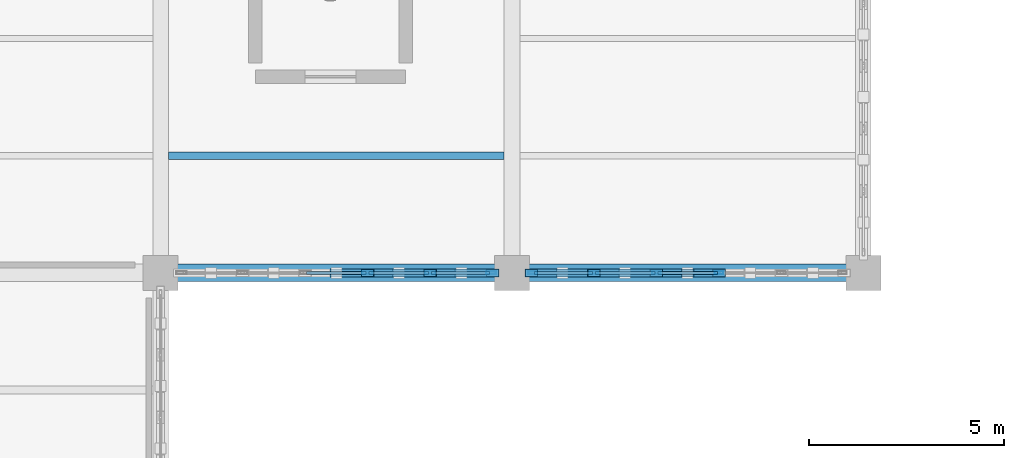
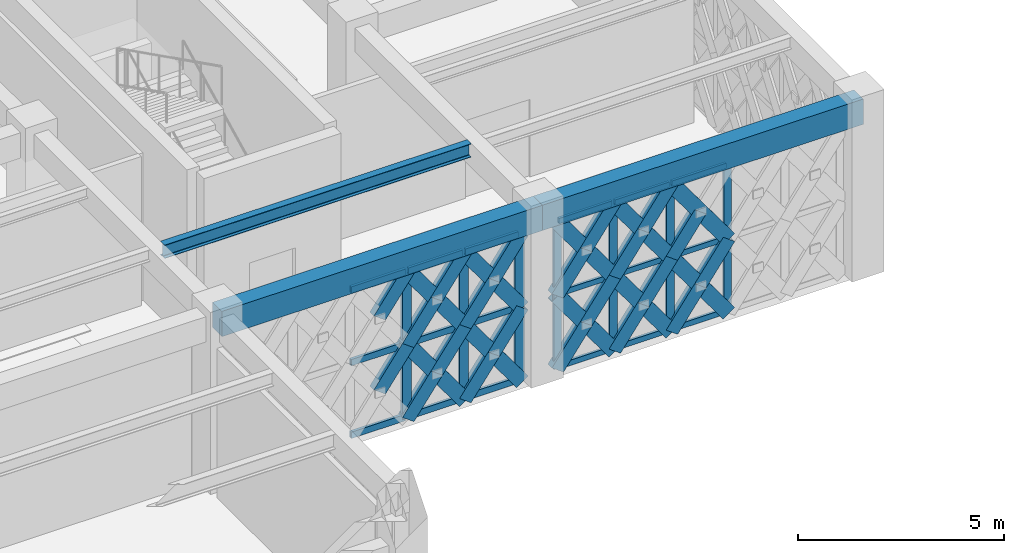
# One storey, part 84 of 166: 56 members, 3 beams, 2 elements without a shape of their own.
"""IFC4 building model written with IfcOpenShell, lengths in metres."""

import ifcopenshell
import ifcopenshell.guid

model = None  # the IFC model being written
_history = None  # IfcOwnerHistory: only IFC2X3 demands one
_inside = {}  # id of a spatial element -> (the spatial element, [elements in it])
_under = {}  # id of a project, library or spatial element -> (it, [spatial elements below it])
_declared = {}  # id of a project -> (the project, [libraries it declares])
_typed = {}  # id of a type object -> (the type object, [elements of that type])
_made_of = {}  # id of a material, layer set ... -> (it, [elements and type objects made of it])


def new_model(schema):
    """Start an empty IFC model of exactly this schema.

    Asked for "IFC4X3", IfcOpenShell would pick the latest addendum, in which some entities
    have other attributes; the version numbers below select the first issue.
    IFC2X3 requires an IfcOwnerHistory on every rooted entity: one is made here for all.
    """
    global model, _history
    if schema == "IFC4X3":
        model = ifcopenshell.file(schema_version=(4, 3, 0, 0))
    else:
        model = ifcopenshell.file(schema=schema)
    _inside.clear()
    _under.clear()
    _declared.clear()
    _typed.clear()
    _made_of.clear()
    _history = None
    if model.schema == "IFC2X3":
        org = make("IfcOrganization", Name="unknown")
        user = make(
            "IfcPersonAndOrganization",
            ThePerson=make("IfcPerson", FamilyName="unknown"),
            TheOrganization=org,
        )
        app = make(
            "IfcApplication",
            ApplicationDeveloper=org,
            Version="unknown",
            ApplicationFullName="unknown",
            ApplicationIdentifier="unknown",
        )
        _history = make(
            "IfcOwnerHistory",
            OwningUser=user,
            OwningApplication=app,
            ChangeAction="ADDED",
            CreationDate=0,
        )
    return model


def make(cls, **values):
    """One entity of the class cls with the attributes given. An attribute that is None is left unset."""
    return model.create_entity(
        cls, **{name: value for name, value in values.items() if value is not None}
    )


def rooted(cls, **values):
    """An entity with a GlobalId (a new one), such as an element, a storey or a relation."""
    return make(cls, GlobalId=ifcopenshell.guid.new(), OwnerHistory=_history, **values)


def si_unit(unit_type, name, prefix=None):
    """IfcSIUnit, for example si_unit("LENGTHUNIT", "METRE", prefix="MILLI")."""
    return make("IfcSIUnit", UnitType=unit_type, Prefix=prefix, Name=name)


def assignment(units):
    """IfcUnitAssignment: the units of a project."""
    return None if units is None else make("IfcUnitAssignment", Units=units)


def point(xyz):
    """IfcCartesianPoint."""
    return None if xyz is None else make("IfcCartesianPoint", Coordinates=xyz)


def direction(xyz):
    """IfcDirection."""
    return None if xyz is None else make("IfcDirection", DirectionRatios=xyz)


def frame(location, z_axis=None, x_axis=None):
    """IfcAxis2Placement3D, a coordinate frame: its origin and axes. An axis left out is left unset."""
    return make(
        "IfcAxis2Placement3D",
        Location=point(location),
        Axis=direction(z_axis),
        RefDirection=direction(x_axis),
    )


def frame_2d(location, x_axis=None):
    """IfcAxis2Placement2D, a coordinate frame in the plane: its origin and x axis."""
    return make(
        "IfcAxis2Placement2D", Location=point(location), RefDirection=direction(x_axis)
    )


def origin():
    """The frame at (0, 0, 0) with its axes left unset."""
    return frame((0.0, 0.0, 0.0))


def origin_2d():
    """The frame at (0, 0) in the plane with its x axis left unset."""
    return frame_2d((0.0, 0.0))


def place(relative_to, where):
    """IfcLocalPlacement: puts the frame where relative to a parent placement (None: the world)."""
    return make(
        "IfcLocalPlacement", PlacementRelTo=relative_to, RelativePlacement=where
    )


def context(
    kind, dimensions, precision=None, world=None, true_north=None, identifier=None
):
    """IfcGeometricRepresentationContext, for example the 3D "Model" context."""
    return make(
        "IfcGeometricRepresentationContext",
        ContextIdentifier=identifier,
        ContextType=kind,
        CoordinateSpaceDimension=dimensions,
        Precision=precision,
        WorldCoordinateSystem=world,
        TrueNorth=true_north,
    )


def subcontext(parent, identifier, kind, view, scale=None):
    """IfcGeometricRepresentationSubContext, for example "Body" below "Model"."""
    return make(
        "IfcGeometricRepresentationSubContext",
        ContextIdentifier=identifier,
        ContextType=kind,
        ParentContext=parent,
        TargetScale=scale,
        TargetView=view,
    )


def project(units=None, contexts=None):
    """IfcProject with its units and contexts."""
    return rooted(
        "IfcProject",
        Name="project",
        RepresentationContexts=contexts,
        UnitsInContext=assignment(units),
    )


def spatial(cls, under=None, at=None, **own):
    """A site, building, storey or space (cls), placed at a placement, below another one or the project."""
    s = rooted(cls, ObjectPlacement=at, **own)
    if under is not None:
        _under.setdefault(under.id(), (under, []))[1].append(s)
    return s


def profile(cls, at=None, kind="AREA", **sizes):
    """A parametric profile (cls). Its sizes go by their IFC names, for example OverallWidth=200.0."""
    return make(cls, ProfileType=kind, Position=at, **sizes)


def rectangle(**sizes):
    """IfcRectangleProfileDef."""
    return profile("IfcRectangleProfileDef", **sizes)


def hollow_rectangle(**sizes):
    """IfcRectangleHollowProfileDef."""
    return profile("IfcRectangleHollowProfileDef", **sizes)


def i_section(**sizes):
    """IfcIShapeProfileDef."""
    return profile("IfcIShapeProfileDef", **sizes)


def extrude(swept, where, along, depth):
    """IfcExtrudedAreaSolid: the profile swept, set in the frame where, extruded along a direction by depth."""
    return make(
        "IfcExtrudedAreaSolid",
        SweptArea=swept,
        Position=where,
        ExtrudedDirection=direction(along),
        Depth=depth,
    )


def shape(context_of_items, identifier, shape_type, items):
    """IfcShapeRepresentation: the items that make up one representation, for example the "Body"."""
    return make(
        "IfcShapeRepresentation",
        ContextOfItems=context_of_items,
        RepresentationIdentifier=identifier,
        RepresentationType=shape_type,
        Items=items,
    )


def material(Name=None, Category=None):
    """IfcMaterial."""
    return make("IfcMaterial", Name=Name, Category=Category)


def material_profile(
    of_material, cross_section, Name=None, Category=None, Priority=None
):
    """IfcMaterialProfile: a cross section and its material."""
    return make(
        "IfcMaterialProfile",
        Name=Name,
        Material=of_material,
        Profile=cross_section,
        Priority=Priority,
        Category=Category,
    )


def profile_set(profiles, Name=None, composite=None):
    """IfcMaterialProfileSet."""
    return make(
        "IfcMaterialProfileSet",
        Name=Name,
        MaterialProfiles=profiles,
        CompositeProfile=composite,
    )


def made_of(thing, what):
    """Note that an element or type object is made of a material, layer set ...; save() writes the relation."""
    if what is not None:
        _made_of.setdefault(what.id(), (what, []))[1].append(thing)
    return thing


def type_object(cls, material=None, **own):
    """A type object (cls), such as IfcWallType, which elements share."""
    return made_of(rooted(cls, **own), material)


def element(
    cls,
    number,
    at=None,
    inside=None,
    cuts=None,
    type_object=None,
    material=None,
    context=None,
    identifier="Body",
    shape_type=None,
    held_by="IfcProductDefinitionShape",
    body=None,
    shapes=None,
    **own,
):
    """One element of the class cls, such as IfcWall. Its Tag is "e" and its number.

    at: its placement. inside: the storey or other place that contains it. cuts: it is an
    opening in that element (IfcRelVoidsElement). A single representation is given by context,
    identifier, shape_type and body (its items); several are given by shapes. held_by: the class
    of the entity that holds the representations. save() writes the other relations.
    """
    e = rooted(cls, Tag="e%d" % number, ObjectPlacement=at, **own)
    if body is not None:
        shapes = [shape(context, identifier, shape_type, body)]
    if shapes is not None:
        e.Representation = make(held_by, Representations=shapes)
    if inside is not None:
        _inside.setdefault(inside.id(), (inside, []))[1].append(e)
    if cuts is not None:
        rooted(
            "IfcRelVoidsElement", RelatingBuildingElement=cuts, RelatedOpeningElement=e
        )
    if type_object is not None:
        _typed.setdefault(type_object.id(), (type_object, []))[1].append(e)
    return made_of(e, material)


def aggregate(whole, parts):
    """IfcRelAggregates: a whole, such as a stair, and the parts it consists of."""
    return rooted("IfcRelAggregates", RelatingObject=whole, RelatedObjects=parts)


def save(model, path):
    """Write the relations noted so far, then the file.

    IfcRelAggregates (storeys below a building ...), IfcRelContainedInSpatialStructure (elements
    in a storey), IfcRelDefinesByType, IfcRelAssociatesMaterial and IfcRelDeclares: one each for
    every whole, place, type object, material and project.
    """
    for whole, parts in _under.values():
        aggregate(whole, parts)
    for where, things in _inside.values():
        rooted(
            "IfcRelContainedInSpatialStructure",
            RelatedElements=things,
            RelatingStructure=where,
        )
    for kind, things in _typed.values():
        rooted("IfcRelDefinesByType", RelatedObjects=things, RelatingType=kind)
    for what, things in _made_of.values():
        rooted("IfcRelAssociatesMaterial", RelatedObjects=things, RelatingMaterial=what)
    for by, libraries in _declared.values():
        rooted("IfcRelDeclares", RelatingContext=by, RelatedDefinitions=libraries)
    model.write(path)


model = new_model("IFC4")

# Units and contexts
model_context = context("Model", 3, precision=1e-05, world=origin(), true_north=direction((0.0, 1.0)))
body_context = subcontext(model_context, "Body", "Model", "MODEL_VIEW")
ifc_project = project(units=[si_unit("LENGTHUNIT", "METRE"), si_unit("AREAUNIT", "SQUARE_METRE"), si_unit("VOLUMEUNIT", "CUBIC_METRE"), si_unit("PLANEANGLEUNIT", "RADIAN"), si_unit("MASSUNIT", "GRAM", prefix="KILO")], contexts=[model_context])

# Site, building, storey
site_placement = place(None, origin())
site = spatial("IfcSite", under=ifc_project, at=site_placement, CompositionType="ELEMENT")
building_placement = place(site_placement, origin())
building = spatial("IfcBuilding", under=site, at=building_placement, Name="Haizhuo Lancet Aquarium", CompositionType="ELEMENT")
storey_placement = place(building_placement, frame((0.0, 0.0, 5.39990234375)))
storey = spatial("IfcBuildingStorey", under=building, at=storey_placement, Name="L01", CompositionType="ELEMENT", Elevation=5.39990234375)

# Beams
ifc_material_1 = material(Name="Concrete C40/50", Category="concrete")
ifc_material_profile_1 = material_profile(ifc_material_1, rectangle(XDim=0.449951171875, YDim=0.75, at=origin_2d()), Name="RC-BM 450x750")
ifc_profile_set_1 = profile_set([ifc_material_profile_1], Name="Concrete C40/50")
beam_type_1 = type_object("IfcBeamType", Name="BM-RC-450x750", PredefinedType="BEAM", material=ifc_profile_set_1)
for number, where, z_axis, x_axis, name in (
    (1, (9.0, 36.0, 4.76513671875), (1.0, 0.0, 0.0), (0.0, 1.0, 0.0), "L01 V5 primary girder BM-L01-V5-025"),
    (2, (18.0, 36.0, 4.76513671875), (1.0, 0.0, 0.0), (0.0, 1.0, 0.0), "L01 V5 primary girder BM-L01-V5-029"),
):
    element("IfcBeam", number, at=place(storey_placement, frame(where, z_axis=z_axis, x_axis=x_axis)), inside=storey, type_object=beam_type_1, Name=name, PredefinedType="BEAM", context=body_context, shape_type="SweptSolid", body=[
        extrude(rectangle(XDim=0.449951171875, YDim=0.75, at=origin_2d()), origin(), (0.0, 0.0, 1.0), 9.0),
    ])

# Curtain wall, members
ifc_material_2 = material(Name="Aluminium 6063-T6", Category="aluminium")
curtain_wall_type = type_object("IfcCurtainWallType", Name="CWD-8010x4390", PredefinedType="NOTDEFINED", material=ifc_material_2)
curtain_wall_1_placement = place(storey_placement, origin())
curtain_wall_1 = element("IfcCurtainWall", 3, at=curtain_wall_1_placement, inside=storey, type_object=curtain_wall_type, Name="L01 curtain wall CW-V5-L01-137", PredefinedType="NOTDEFINED")
ifc_material_profile_2 = material_profile(ifc_material_2, hollow_rectangle(XDim=0.074951171875, YDim=0.219970703125, WallThickness=0.0048828125, at=origin_2d()), Name="ALU-M 75x220x5")
ifc_profile_set_2 = profile_set([ifc_material_profile_2], Name="Aluminium 6063-T6")
member_type_1 = type_object("IfcMemberType", Name="CW-MUL-2", PredefinedType="MULLION", material=ifc_profile_set_2)
member_1_placement = place(storey_placement, frame((23.301025390625, 36.0, 0.0), z_axis=(0.0, 0.0, 1.0), x_axis=(0.0, -1.0, 0.0)))
member_1 = element("IfcMember", 4, at=member_1_placement, type_object=member_type_1, Name="CWD-80x43 mullion 3", PredefinedType="MULLION", context=body_context, shape_type="SweptSolid", body=[
    extrude(hollow_rectangle(XDim=0.074951171875, YDim=0.219970703125, WallThickness=0.0048828125, at=origin_2d()), origin(), (0.0, 0.0, 1.0), 4.39013671875),
])
member_2_placement = place(storey_placement, frame((21.698974609375, 36.0, 0.0), z_axis=(0.0, 0.0, 1.0), x_axis=(0.0, -1.0, 0.0)))
member_2 = element("IfcMember", 5, at=member_2_placement, type_object=member_type_1, Name="CWD-80x43 mullion 4", PredefinedType="MULLION", context=body_context, shape_type="SweptSolid", body=[
    extrude(hollow_rectangle(XDim=0.074951171875, YDim=0.219970703125, WallThickness=0.0048828125, at=origin_2d()), origin(), (0.0, 0.0, 1.0), 4.39013671875),
])
member_3_placement = place(storey_placement, frame((20.096923828125, 36.0, 0.0), z_axis=(0.0, 0.0, 1.0), x_axis=(0.0, -1.0, 0.0)))
member_3 = element("IfcMember", 6, at=member_3_placement, type_object=member_type_1, Name="CWD-80x43 mullion 5", PredefinedType="MULLION", context=body_context, shape_type="SweptSolid", body=[
    extrude(hollow_rectangle(XDim=0.074951171875, YDim=0.219970703125, WallThickness=0.0048828125, at=origin_2d()), origin(), (0.0, 0.0, 1.0), 4.39013671875),
])
member_4_placement = place(storey_placement, frame((18.531982421875, 36.0, 0.0), z_axis=(0.0, 0.0, 1.0), x_axis=(0.0, -1.0, 0.0)))
member_4 = element("IfcMember", 7, at=member_4_placement, type_object=member_type_1, Name="CWD-80x43 mullion 6", PredefinedType="MULLION", context=body_context, shape_type="SweptSolid", body=[
    extrude(hollow_rectangle(XDim=0.074951171875, YDim=0.219970703125, WallThickness=0.0048828125, at=origin_2d()), origin(), (0.0, 0.0, 1.0), 4.39013671875),
])

curtain_wall_2_placement = place(storey_placement, origin())
curtain_wall_2 = element("IfcCurtainWall", 8, at=curtain_wall_2_placement, inside=storey, type_object=curtain_wall_type, Name="L01 curtain wall CW-V5-L01-138", PredefinedType="NOTDEFINED")
ifc_material_profile_3 = material_profile(ifc_material_2, hollow_rectangle(XDim=0.080078125, YDim=0.260009765625, WallThickness=0.0048828125, at=origin_2d()), Name="ALU-M 80x260x5")
ifc_profile_set_3 = profile_set([ifc_material_profile_3], Name="Aluminium 6063-T6")
member_type_2 = type_object("IfcMemberType", Name="CW-MUL-3", PredefinedType="MULLION", material=ifc_profile_set_3)
member_5_placement = place(storey_placement, frame((17.465087890625, 36.0, 0.0), z_axis=(0.0, 0.0, 1.0), x_axis=(0.0, -1.0, 0.0)))
member_5 = element("IfcMember", 9, at=member_5_placement, type_object=member_type_2, Name="CWD-80x43 mullion 1", PredefinedType="MULLION", context=body_context, shape_type="SweptSolid", body=[
    extrude(hollow_rectangle(XDim=0.080078125, YDim=0.260009765625, WallThickness=0.0048828125, at=origin_2d()), origin(), (0.0, 0.0, 1.0), 4.39013671875),
])
member_6_placement = place(storey_placement, frame((15.903076171875, 36.0, 0.0), z_axis=(0.0, 0.0, 1.0), x_axis=(0.0, -1.0, 0.0)))
member_6 = element("IfcMember", 10, at=member_6_placement, type_object=member_type_2, Name="CWD-80x43 mullion 2", PredefinedType="MULLION", context=body_context, shape_type="SweptSolid", body=[
    extrude(hollow_rectangle(XDim=0.080078125, YDim=0.260009765625, WallThickness=0.0048828125, at=origin_2d()), origin(), (0.0, 0.0, 1.0), 4.39013671875),
])
member_7_placement = place(storey_placement, frame((14.301025390625, 36.0, 0.0), z_axis=(0.0, 0.0, 1.0), x_axis=(0.0, -1.0, 0.0)))
member_7 = element("IfcMember", 11, at=member_7_placement, type_object=member_type_2, Name="CWD-80x43 mullion 3", PredefinedType="MULLION", context=body_context, shape_type="SweptSolid", body=[
    extrude(hollow_rectangle(XDim=0.080078125, YDim=0.260009765625, WallThickness=0.0048828125, at=origin_2d()), origin(), (0.0, 0.0, 1.0), 4.39013671875),
])

# Member
ifc_material_profile_4 = material_profile(ifc_material_2, hollow_rectangle(XDim=0.074951171875, YDim=0.159912109375, WallThickness=0.00390625, at=origin_2d()), Name="ALU-T 75x160x4")
ifc_profile_set_4 = profile_set([ifc_material_profile_4], Name="Aluminium 6063-T6")
member_type_3 = type_object("IfcMemberType", Name="CW-TRN-2", PredefinedType="NOTDEFINED", material=ifc_profile_set_4)
member_8_placement = place(storey_placement, frame((23.263916015625, 36.0, 0.0380859375), z_axis=(-1.0, 0.0, 0.0), x_axis=(0.0, -1.0, 0.0)))
member_8 = element("IfcMember", 12, at=member_8_placement, type_object=member_type_3, Name="CWD-80x43 transom 3.1", ObjectType="TRANSOM", PredefinedType="USERDEFINED", context=body_context, shape_type="SweptSolid", body=[
    extrude(hollow_rectangle(XDim=0.074951171875, YDim=0.159912109375, WallThickness=0.00390625, at=origin_2d()), origin(), (0.0, 0.0, 1.0), 1.52783203125),
])

member_9_placement = place(storey_placement, frame((23.263916015625, 36.0, 2.195068359375), z_axis=(-1.0, 0.0, 0.0), x_axis=(0.0, -1.0, 0.0)))
member_9 = element("IfcMember", 13, at=member_9_placement, type_object=member_type_3, Name="CWD-80x43 transom 3.2", ObjectType="TRANSOM", PredefinedType="USERDEFINED", context=body_context, shape_type="SweptSolid", body=[
    extrude(hollow_rectangle(XDim=0.074951171875, YDim=0.159912109375, WallThickness=0.00390625, at=origin_2d()), origin(), (0.0, 0.0, 1.0), 1.52783203125),
])

member_10_placement = place(storey_placement, frame((23.263916015625, 36.0, 4.35205078125), z_axis=(-1.0, 0.0, 0.0), x_axis=(0.0, -1.0, 0.0)))
member_10 = element("IfcMember", 14, at=member_10_placement, type_object=member_type_3, Name="CWD-80x43 transom 3.3", ObjectType="TRANSOM", PredefinedType="USERDEFINED", context=body_context, shape_type="SweptSolid", body=[
    extrude(hollow_rectangle(XDim=0.074951171875, YDim=0.159912109375, WallThickness=0.00390625, at=origin_2d()), origin(), (0.0, 0.0, 1.0), 1.52783203125),
])

member_11_placement = place(storey_placement, frame((21.662109375, 36.0, 0.0380859375), z_axis=(-1.0, 0.0, 0.0), x_axis=(0.0, -1.0, 0.0)))
member_11 = element("IfcMember", 15, at=member_11_placement, type_object=member_type_3, Name="CWD-80x43 transom 4.1", ObjectType="TRANSOM", PredefinedType="USERDEFINED", context=body_context, shape_type="SweptSolid", body=[
    extrude(hollow_rectangle(XDim=0.074951171875, YDim=0.159912109375, WallThickness=0.00390625, at=origin_2d()), origin(), (0.0, 0.0, 1.0), 1.528076171875),
])

member_12_placement = place(storey_placement, frame((21.662109375, 36.0, 2.195068359375), z_axis=(-1.0, 0.0, 0.0), x_axis=(0.0, -1.0, 0.0)))
member_12 = element("IfcMember", 16, at=member_12_placement, type_object=member_type_3, Name="CWD-80x43 transom 4.2", ObjectType="TRANSOM", PredefinedType="USERDEFINED", context=body_context, shape_type="SweptSolid", body=[
    extrude(hollow_rectangle(XDim=0.074951171875, YDim=0.159912109375, WallThickness=0.00390625, at=origin_2d()), origin(), (0.0, 0.0, 1.0), 1.528076171875),
])

member_13_placement = place(storey_placement, frame((21.662109375, 36.0, 4.35205078125), z_axis=(-1.0, 0.0, 0.0), x_axis=(0.0, -1.0, 0.0)))
member_13 = element("IfcMember", 17, at=member_13_placement, type_object=member_type_3, Name="CWD-80x43 transom 4.3", ObjectType="TRANSOM", PredefinedType="USERDEFINED", context=body_context, shape_type="SweptSolid", body=[
    extrude(hollow_rectangle(XDim=0.074951171875, YDim=0.159912109375, WallThickness=0.00390625, at=origin_2d()), origin(), (0.0, 0.0, 1.0), 1.528076171875),
])

member_14_placement = place(storey_placement, frame((20.05908203125, 36.0, 0.0380859375), z_axis=(-1.0, 0.0, 0.0), x_axis=(0.0, -1.0, 0.0)))
member_14 = element("IfcMember", 18, at=member_14_placement, type_object=member_type_3, Name="CWD-80x43 transom 5.1", ObjectType="TRANSOM", PredefinedType="USERDEFINED", context=body_context, shape_type="SweptSolid", body=[
    extrude(hollow_rectangle(XDim=0.074951171875, YDim=0.159912109375, WallThickness=0.00390625, at=origin_2d()), origin(), (0.0, 0.0, 1.0), 1.489013671875),
])

member_15_placement = place(storey_placement, frame((20.05908203125, 36.0, 2.195068359375), z_axis=(-1.0, 0.0, 0.0), x_axis=(0.0, -1.0, 0.0)))
member_15 = element("IfcMember", 19, at=member_15_placement, type_object=member_type_3, Name="CWD-80x43 transom 5.2", ObjectType="TRANSOM", PredefinedType="USERDEFINED", context=body_context, shape_type="SweptSolid", body=[
    extrude(hollow_rectangle(XDim=0.074951171875, YDim=0.159912109375, WallThickness=0.00390625, at=origin_2d()), origin(), (0.0, 0.0, 1.0), 1.489013671875),
])

member_16_placement = place(storey_placement, frame((20.05908203125, 36.0, 4.35205078125), z_axis=(-1.0, 0.0, 0.0), x_axis=(0.0, -1.0, 0.0)))
member_16 = element("IfcMember", 20, at=member_16_placement, type_object=member_type_3, Name="CWD-80x43 transom 5.3", ObjectType="TRANSOM", PredefinedType="USERDEFINED", context=body_context, shape_type="SweptSolid", body=[
    extrude(hollow_rectangle(XDim=0.074951171875, YDim=0.159912109375, WallThickness=0.00390625, at=origin_2d()), origin(), (0.0, 0.0, 1.0), 1.489013671875),
])

aggregate(curtain_wall_1, [member_1, member_2, member_3, member_4, member_8, member_9, member_10, member_11, member_12, member_13, member_14, member_15, member_16])

ifc_material_profile_5 = material_profile(ifc_material_2, hollow_rectangle(XDim=0.080078125, YDim=0.18994140625, WallThickness=0.0048828125, at=origin_2d()), Name="ALU-T 80x190x5")
ifc_profile_set_5 = profile_set([ifc_material_profile_5], Name="Aluminium 6063-T6")
member_type_4 = type_object("IfcMemberType", Name="CW-TRN-3", PredefinedType="NOTDEFINED", material=ifc_profile_set_5)
member_17_placement = place(storey_placement, frame((17.425048828125, 36.0, 0.0400390625), z_axis=(-1.0, 0.0, 0.0), x_axis=(0.0, -1.0, 0.0)))
member_17 = element("IfcMember", 21, at=member_17_placement, type_object=member_type_4, Name="CWD-80x43 transom 1.1", ObjectType="TRANSOM", PredefinedType="USERDEFINED", context=body_context, shape_type="SweptSolid", body=[
    extrude(hollow_rectangle(XDim=0.080078125, YDim=0.18994140625, WallThickness=0.0048828125, at=origin_2d()), origin(), (0.0, 0.0, 1.0), 1.48193359375),
])

member_18_placement = place(storey_placement, frame((17.425048828125, 36.0, 2.195068359375), z_axis=(-1.0, 0.0, 0.0), x_axis=(0.0, -1.0, 0.0)))
member_18 = element("IfcMember", 22, at=member_18_placement, type_object=member_type_4, Name="CWD-80x43 transom 1.2", ObjectType="TRANSOM", PredefinedType="USERDEFINED", context=body_context, shape_type="SweptSolid", body=[
    extrude(hollow_rectangle(XDim=0.080078125, YDim=0.18994140625, WallThickness=0.0048828125, at=origin_2d()), origin(), (0.0, 0.0, 1.0), 1.48193359375),
])

member_19_placement = place(storey_placement, frame((17.425048828125, 36.0, 4.35009765625), z_axis=(-1.0, 0.0, 0.0), x_axis=(0.0, -1.0, 0.0)))
member_19 = element("IfcMember", 23, at=member_19_placement, type_object=member_type_4, Name="CWD-80x43 transom 1.3", ObjectType="TRANSOM", PredefinedType="USERDEFINED", context=body_context, shape_type="SweptSolid", body=[
    extrude(hollow_rectangle(XDim=0.080078125, YDim=0.18994140625, WallThickness=0.0048828125, at=origin_2d()), origin(), (0.0, 0.0, 1.0), 1.48193359375),
])

member_20_placement = place(storey_placement, frame((15.863037109375, 36.0, 0.0400390625), z_axis=(-1.0, 0.0, 0.0), x_axis=(0.0, -1.0, 0.0)))
member_20 = element("IfcMember", 24, at=member_20_placement, type_object=member_type_4, Name="CWD-80x43 transom 2.1", ObjectType="TRANSOM", PredefinedType="USERDEFINED", context=body_context, shape_type="SweptSolid", body=[
    extrude(hollow_rectangle(XDim=0.080078125, YDim=0.18994140625, WallThickness=0.0048828125, at=origin_2d()), origin(), (0.0, 0.0, 1.0), 1.52197265625),
])

member_21_placement = place(storey_placement, frame((15.863037109375, 36.0, 2.195068359375), z_axis=(-1.0, 0.0, 0.0), x_axis=(0.0, -1.0, 0.0)))
member_21 = element("IfcMember", 25, at=member_21_placement, type_object=member_type_4, Name="CWD-80x43 transom 2.2", ObjectType="TRANSOM", PredefinedType="USERDEFINED", context=body_context, shape_type="SweptSolid", body=[
    extrude(hollow_rectangle(XDim=0.080078125, YDim=0.18994140625, WallThickness=0.0048828125, at=origin_2d()), origin(), (0.0, 0.0, 1.0), 1.52197265625),
])

member_22_placement = place(storey_placement, frame((15.863037109375, 36.0, 4.35009765625), z_axis=(-1.0, 0.0, 0.0), x_axis=(0.0, -1.0, 0.0)))
member_22 = element("IfcMember", 26, at=member_22_placement, type_object=member_type_4, Name="CWD-80x43 transom 2.3", ObjectType="TRANSOM", PredefinedType="USERDEFINED", context=body_context, shape_type="SweptSolid", body=[
    extrude(hollow_rectangle(XDim=0.080078125, YDim=0.18994140625, WallThickness=0.0048828125, at=origin_2d()), origin(), (0.0, 0.0, 1.0), 1.52197265625),
])

member_23_placement = place(storey_placement, frame((14.260986328125, 36.0, 0.0400390625), z_axis=(-1.0, 0.0, 0.0), x_axis=(0.0, -1.0, 0.0)))
member_23 = element("IfcMember", 27, at=member_23_placement, type_object=member_type_4, Name="CWD-80x43 transom 3.1", ObjectType="TRANSOM", PredefinedType="USERDEFINED", context=body_context, shape_type="SweptSolid", body=[
    extrude(hollow_rectangle(XDim=0.080078125, YDim=0.18994140625, WallThickness=0.0048828125, at=origin_2d()), origin(), (0.0, 0.0, 1.0), 1.52197265625),
])

member_24_placement = place(storey_placement, frame((14.260986328125, 36.0, 2.195068359375), z_axis=(-1.0, 0.0, 0.0), x_axis=(0.0, -1.0, 0.0)))
member_24 = element("IfcMember", 28, at=member_24_placement, type_object=member_type_4, Name="CWD-80x43 transom 3.2", ObjectType="TRANSOM", PredefinedType="USERDEFINED", context=body_context, shape_type="SweptSolid", body=[
    extrude(hollow_rectangle(XDim=0.080078125, YDim=0.18994140625, WallThickness=0.0048828125, at=origin_2d()), origin(), (0.0, 0.0, 1.0), 1.52197265625),
])

member_25_placement = place(storey_placement, frame((14.260986328125, 36.0, 4.35009765625), z_axis=(-1.0, 0.0, 0.0), x_axis=(0.0, -1.0, 0.0)))
member_25 = element("IfcMember", 29, at=member_25_placement, type_object=member_type_4, Name="CWD-80x43 transom 3.3", ObjectType="TRANSOM", PredefinedType="USERDEFINED", context=body_context, shape_type="SweptSolid", body=[
    extrude(hollow_rectangle(XDim=0.080078125, YDim=0.18994140625, WallThickness=0.0048828125, at=origin_2d()), origin(), (0.0, 0.0, 1.0), 1.52197265625),
])

aggregate(curtain_wall_2, [member_5, member_6, member_7, member_17, member_18, member_19, member_20, member_21, member_22, member_23, member_24, member_25])

# Beam
ifc_material_3 = material(Name="Steel S355", Category="steel")
ifc_material_profile_6 = material_profile(ifc_material_3, i_section(OverallWidth=0.199951171875, OverallDepth=0.39990234375, WebThickness=0.008056640625, FlangeThickness=0.012939453125, FilletRadius=0.01611328125, at=origin_2d()), Name="HN 400x200x8x13")
ifc_profile_set_6 = profile_set([ifc_material_profile_6], Name="Steel S355")
beam_type_2 = type_object("IfcBeamType", Name="JST-ST-HN400", PredefinedType="JOIST", material=ifc_profile_set_6)
beam_placement = place(storey_placement, frame((9.199951171875, 39.0, 4.940185546875), z_axis=(1.0, 0.0, 0.0), x_axis=(0.0, 1.0, 0.0)))
element("IfcBeam", 30, at=beam_placement, inside=storey, type_object=beam_type_2, Name="L01 V5 secondary floor joist 20", PredefinedType="JOIST", context=body_context, shape_type="SweptSolid", body=[
    extrude(i_section(OverallWidth=0.199951171875, OverallDepth=0.39990234375, WebThickness=0.008056640625, FlangeThickness=0.012939453125, FilletRadius=0.01611328125, at=origin_2d()), origin(), (0.0, 0.0, 1.0), 8.60009765625),
])

# Members
ifc_material_profile_7 = material_profile(ifc_material_3, hollow_rectangle(XDim=0.199951171875, YDim=0.39990234375, WallThickness=0.011962890625, at=origin_2d()), Name="RHS 200x400x12")
ifc_profile_set_7 = profile_set([ifc_material_profile_7], Name="Steel S355")
member_type_5 = type_object("IfcMemberType", Name="MEM-LB-RHS200x400", PredefinedType="BRACE", material=ifc_profile_set_7)
member_26_placement = place(storey_placement, frame((23.301025390625, 36.0, 0.0), z_axis=(-0.589527691225, 0.0, 0.807748166992), x_axis=(0.0, -1.0, 0.0)))
element("IfcMember", 31, at=member_26_placement, inside=storey, type_object=member_type_5, Name="Gothic lancet continuous diagonal brace CW-V5-L01-137 5A", PredefinedType="BRACE", context=body_context, shape_type="SweptSolid", body=[
    extrude(hollow_rectangle(XDim=0.199951171875, YDim=0.39990234375, WallThickness=0.011962890625, at=origin_2d()), origin(), (0.0, 0.0, 1.0), 2.717529296875),
])
member_27_placement = place(storey_placement, frame((21.698974609375, 36.0, 0.0), z_axis=(0.589313844519, 0.0, 0.807904197698), x_axis=(0.0, 1.0, 0.0)))
element("IfcMember", 32, at=member_27_placement, inside=storey, type_object=member_type_5, Name="Gothic lancet split diagonal brace CW-V5-L01-137 5B1", PredefinedType="BRACE", context=body_context, shape_type="SweptSolid", body=[
    extrude(hollow_rectangle(XDim=0.199951171875, YDim=0.39990234375, WallThickness=0.011962890625, at=origin_2d()), origin(), (0.0, 0.0, 1.0), 1.359130859375),
])
member_28_placement = place(storey_placement, frame((22.5, 36.0, 1.09814453125), z_axis=(0.589741651814, 0.0, 0.807591966352), x_axis=(0.0, 1.0, 0.0)))
element("IfcMember", 33, at=member_28_placement, inside=storey, type_object=member_type_5, Name="Gothic lancet split diagonal brace CW-V5-L01-137 5B2", PredefinedType="BRACE", context=body_context, shape_type="SweptSolid", body=[
    extrude(hollow_rectangle(XDim=0.199951171875, YDim=0.39990234375, WallThickness=0.011962890625, at=origin_2d()), origin(), (0.0, 0.0, 1.0), 1.358154296875),
])
member_29_placement = place(storey_placement, frame((23.301025390625, 36.0, 2.195068359375), z_axis=(-0.589527691225, 0.0, 0.807748166992), x_axis=(0.0, -1.0, 0.0)))
element("IfcMember", 34, at=member_29_placement, inside=storey, type_object=member_type_5, Name="Gothic lancet continuous diagonal brace CW-V5-L01-137 6A", PredefinedType="BRACE", context=body_context, shape_type="SweptSolid", body=[
    extrude(hollow_rectangle(XDim=0.199951171875, YDim=0.39990234375, WallThickness=0.011962890625, at=origin_2d()), origin(), (0.0, 0.0, 1.0), 2.717529296875),
])
member_30_placement = place(storey_placement, frame((21.698974609375, 36.0, 2.195068359375), z_axis=(0.589741651814, 0.0, 0.807591966352), x_axis=(0.0, 1.0, 0.0)))
element("IfcMember", 35, at=member_30_placement, inside=storey, type_object=member_type_5, Name="Gothic lancet split diagonal brace CW-V5-L01-137 6B1", PredefinedType="BRACE", context=body_context, shape_type="SweptSolid", body=[
    extrude(hollow_rectangle(XDim=0.199951171875, YDim=0.39990234375, WallThickness=0.011962890625, at=origin_2d()), origin(), (0.0, 0.0, 1.0), 1.358154296875),
])
member_31_placement = place(storey_placement, frame((21.698974609375, 36.0, 0.0), z_axis=(-0.589527691225, 0.0, 0.807748166992), x_axis=(0.0, -1.0, 0.0)))
element("IfcMember", 36, at=member_31_placement, inside=storey, type_object=member_type_5, Name="Gothic lancet continuous diagonal brace CW-V5-L01-137 7A", PredefinedType="BRACE", context=body_context, shape_type="SweptSolid", body=[
    extrude(hollow_rectangle(XDim=0.199951171875, YDim=0.39990234375, WallThickness=0.011962890625, at=origin_2d()), origin(), (0.0, 0.0, 1.0), 2.717529296875),
])
member_32_placement = place(storey_placement, frame((20.096923828125, 36.0, 0.0), z_axis=(0.589313844519, 0.0, 0.807904197698), x_axis=(0.0, 1.0, 0.0)))
element("IfcMember", 37, at=member_32_placement, inside=storey, type_object=member_type_5, Name="Gothic lancet split diagonal brace CW-V5-L01-137 7B1", PredefinedType="BRACE", context=body_context, shape_type="SweptSolid", body=[
    extrude(hollow_rectangle(XDim=0.199951171875, YDim=0.39990234375, WallThickness=0.011962890625, at=origin_2d()), origin(), (0.0, 0.0, 1.0), 1.359130859375),
])
member_33_placement = place(storey_placement, frame((20.89794921875, 36.0, 1.09814453125), z_axis=(0.589741651814, 0.0, 0.807591966352), x_axis=(0.0, 1.0, 0.0)))
element("IfcMember", 38, at=member_33_placement, inside=storey, type_object=member_type_5, Name="Gothic lancet split diagonal brace CW-V5-L01-137 7B2", PredefinedType="BRACE", context=body_context, shape_type="SweptSolid", body=[
    extrude(hollow_rectangle(XDim=0.199951171875, YDim=0.39990234375, WallThickness=0.011962890625, at=origin_2d()), origin(), (0.0, 0.0, 1.0), 1.358154296875),
])
member_34_placement = place(storey_placement, frame((21.698974609375, 36.0, 2.195068359375), z_axis=(-0.589527691225, 0.0, 0.807748166992), x_axis=(0.0, -1.0, 0.0)))
element("IfcMember", 39, at=member_34_placement, inside=storey, type_object=member_type_5, Name="Gothic lancet continuous diagonal brace CW-V5-L01-137 8A", PredefinedType="BRACE", context=body_context, shape_type="SweptSolid", body=[
    extrude(hollow_rectangle(XDim=0.199951171875, YDim=0.39990234375, WallThickness=0.011962890625, at=origin_2d()), origin(), (0.0, 0.0, 1.0), 2.717529296875),
])
member_35_placement = place(storey_placement, frame((20.096923828125, 36.0, 2.195068359375), z_axis=(0.589741651814, 0.0, 0.807591966352), x_axis=(0.0, 1.0, 0.0)))
element("IfcMember", 40, at=member_35_placement, inside=storey, type_object=member_type_5, Name="Gothic lancet split diagonal brace CW-V5-L01-137 8B1", PredefinedType="BRACE", context=body_context, shape_type="SweptSolid", body=[
    extrude(hollow_rectangle(XDim=0.199951171875, YDim=0.39990234375, WallThickness=0.011962890625, at=origin_2d()), origin(), (0.0, 0.0, 1.0), 1.358154296875),
])
member_36_placement = place(storey_placement, frame((20.89794921875, 36.0, 3.2919921875), z_axis=(0.589313844519, 0.0, 0.807904197698), x_axis=(0.0, 1.0, 0.0)))
element("IfcMember", 41, at=member_36_placement, inside=storey, type_object=member_type_5, Name="Gothic lancet split diagonal brace CW-V5-L01-137 8B2", PredefinedType="BRACE", context=body_context, shape_type="SweptSolid", body=[
    extrude(hollow_rectangle(XDim=0.199951171875, YDim=0.39990234375, WallThickness=0.011962890625, at=origin_2d()), origin(), (0.0, 0.0, 1.0), 1.359130859375),
])
member_37_placement = place(storey_placement, frame((20.096923828125, 36.0, 0.0), z_axis=(-0.589469070059, 0.0, 0.807790947859), x_axis=(0.0, -1.0, 0.0)))
element("IfcMember", 42, at=member_37_placement, inside=storey, type_object=member_type_5, Name="Gothic lancet continuous diagonal brace CW-V5-L01-137 9A", PredefinedType="BRACE", context=body_context, shape_type="SweptSolid", body=[
    extrude(hollow_rectangle(XDim=0.199951171875, YDim=0.39990234375, WallThickness=0.011962890625, at=origin_2d()), origin(), (0.0, 0.0, 1.0), 2.71728515625),
])
member_38_placement = place(storey_placement, frame((18.4951171875, 36.0, 0.0), z_axis=(0.589196590133, 0.0, 0.807989714152), x_axis=(0.0, 1.0, 0.0)))
element("IfcMember", 43, at=member_38_placement, inside=storey, type_object=member_type_5, Name="Gothic lancet split diagonal brace CW-V5-L01-137 9B1", PredefinedType="BRACE", context=body_context, shape_type="SweptSolid", body=[
    extrude(hollow_rectangle(XDim=0.199951171875, YDim=0.39990234375, WallThickness=0.011962890625, at=origin_2d()), origin(), (0.0, 0.0, 1.0), 1.359130859375),
])
member_39_placement = place(storey_placement, frame((19.2958984375, 36.0, 1.09814453125), z_axis=(0.589741651814, 0.0, 0.807591966352), x_axis=(0.0, 1.0, 0.0)))
element("IfcMember", 44, at=member_39_placement, inside=storey, type_object=member_type_5, Name="Gothic lancet split diagonal brace CW-V5-L01-137 9B2", PredefinedType="BRACE", context=body_context, shape_type="SweptSolid", body=[
    extrude(hollow_rectangle(XDim=0.199951171875, YDim=0.39990234375, WallThickness=0.011962890625, at=origin_2d()), origin(), (0.0, 0.0, 1.0), 1.358154296875),
])
member_40_placement = place(storey_placement, frame((20.096923828125, 36.0, 2.195068359375), z_axis=(-0.589469070059, 0.0, 0.807790947859), x_axis=(0.0, -1.0, 0.0)))
element("IfcMember", 45, at=member_40_placement, inside=storey, type_object=member_type_5, Name="Gothic lancet continuous diagonal brace CW-V5-L01-137 10A", PredefinedType="BRACE", context=body_context, shape_type="SweptSolid", body=[
    extrude(hollow_rectangle(XDim=0.199951171875, YDim=0.39990234375, WallThickness=0.011962890625, at=origin_2d()), origin(), (0.0, 0.0, 1.0), 2.71728515625),
])
member_41_placement = place(storey_placement, frame((18.4951171875, 36.0, 2.195068359375), z_axis=(0.58962440296, 0.0, 0.807677573933), x_axis=(0.0, 1.0, 0.0)))
element("IfcMember", 46, at=member_41_placement, inside=storey, type_object=member_type_5, Name="Gothic lancet split diagonal brace CW-V5-L01-137 10B1", PredefinedType="BRACE", context=body_context, shape_type="SweptSolid", body=[
    extrude(hollow_rectangle(XDim=0.199951171875, YDim=0.39990234375, WallThickness=0.011962890625, at=origin_2d()), origin(), (0.0, 0.0, 1.0), 1.358154296875),
])
member_42_placement = place(storey_placement, frame((19.2958984375, 36.0, 3.2919921875), z_axis=(0.589313844519, 0.0, 0.807904197698), x_axis=(0.0, 1.0, 0.0)))
element("IfcMember", 47, at=member_42_placement, inside=storey, type_object=member_type_5, Name="Gothic lancet split diagonal brace CW-V5-L01-137 10B2", PredefinedType="BRACE", context=body_context, shape_type="SweptSolid", body=[
    extrude(hollow_rectangle(XDim=0.199951171875, YDim=0.39990234375, WallThickness=0.011962890625, at=origin_2d()), origin(), (0.0, 0.0, 1.0), 1.359130859375),
])
member_43_placement = place(storey_placement, frame((17.5048828125, 36.0, 0.0), z_axis=(-0.589469070059, 0.0, 0.807790947859), x_axis=(0.0, -1.0, 0.0)))
element("IfcMember", 48, at=member_43_placement, inside=storey, type_object=member_type_5, Name="Gothic lancet continuous diagonal brace CW-V5-L01-138 1A", PredefinedType="BRACE", context=body_context, shape_type="SweptSolid", body=[
    extrude(hollow_rectangle(XDim=0.199951171875, YDim=0.39990234375, WallThickness=0.011962890625, at=origin_2d()), origin(), (0.0, 0.0, 1.0), 2.71728515625),
])
member_44_placement = place(storey_placement, frame((15.903076171875, 36.0, 0.0), z_axis=(0.589313844519, 0.0, 0.807904197698), x_axis=(0.0, 1.0, 0.0)))
element("IfcMember", 49, at=member_44_placement, inside=storey, type_object=member_type_5, Name="Gothic lancet split diagonal brace CW-V5-L01-138 1B1", PredefinedType="BRACE", context=body_context, shape_type="SweptSolid", body=[
    extrude(hollow_rectangle(XDim=0.199951171875, YDim=0.39990234375, WallThickness=0.011962890625, at=origin_2d()), origin(), (0.0, 0.0, 1.0), 1.359130859375),
])
member_45_placement = place(storey_placement, frame((16.7041015625, 36.0, 1.09814453125), z_axis=(0.58962440296, 0.0, 0.807677573933), x_axis=(0.0, 1.0, 0.0)))
element("IfcMember", 50, at=member_45_placement, inside=storey, type_object=member_type_5, Name="Gothic lancet split diagonal brace CW-V5-L01-138 1B2", PredefinedType="BRACE", context=body_context, shape_type="SweptSolid", body=[
    extrude(hollow_rectangle(XDim=0.199951171875, YDim=0.39990234375, WallThickness=0.011962890625, at=origin_2d()), origin(), (0.0, 0.0, 1.0), 1.358154296875),
])
member_46_placement = place(storey_placement, frame((17.5048828125, 36.0, 2.195068359375), z_axis=(-0.589469070059, 0.0, 0.807790947859), x_axis=(0.0, -1.0, 0.0)))
element("IfcMember", 51, at=member_46_placement, inside=storey, type_object=member_type_5, Name="Gothic lancet continuous diagonal brace CW-V5-L01-138 2A", PredefinedType="BRACE", context=body_context, shape_type="SweptSolid", body=[
    extrude(hollow_rectangle(XDim=0.199951171875, YDim=0.39990234375, WallThickness=0.011962890625, at=origin_2d()), origin(), (0.0, 0.0, 1.0), 2.71728515625),
])
member_47_placement = place(storey_placement, frame((15.903076171875, 36.0, 2.195068359375), z_axis=(0.589741651814, 0.0, 0.807591966352), x_axis=(0.0, 1.0, 0.0)))
element("IfcMember", 52, at=member_47_placement, inside=storey, type_object=member_type_5, Name="Gothic lancet split diagonal brace CW-V5-L01-138 2B1", PredefinedType="BRACE", context=body_context, shape_type="SweptSolid", body=[
    extrude(hollow_rectangle(XDim=0.199951171875, YDim=0.39990234375, WallThickness=0.011962890625, at=origin_2d()), origin(), (0.0, 0.0, 1.0), 1.358154296875),
])
member_48_placement = place(storey_placement, frame((16.7041015625, 36.0, 3.2919921875), z_axis=(0.589196590133, 0.0, 0.807989714152), x_axis=(0.0, 1.0, 0.0)))
element("IfcMember", 53, at=member_48_placement, inside=storey, type_object=member_type_5, Name="Gothic lancet split diagonal brace CW-V5-L01-138 2B2", PredefinedType="BRACE", context=body_context, shape_type="SweptSolid", body=[
    extrude(hollow_rectangle(XDim=0.199951171875, YDim=0.39990234375, WallThickness=0.011962890625, at=origin_2d()), origin(), (0.0, 0.0, 1.0), 1.359130859375),
])
member_49_placement = place(storey_placement, frame((15.903076171875, 36.0, 0.0), z_axis=(-0.589527691225, 0.0, 0.807748166992), x_axis=(0.0, -1.0, 0.0)))
element("IfcMember", 54, at=member_49_placement, inside=storey, type_object=member_type_5, Name="Gothic lancet continuous diagonal brace CW-V5-L01-138 3A", PredefinedType="BRACE", context=body_context, shape_type="SweptSolid", body=[
    extrude(hollow_rectangle(XDim=0.199951171875, YDim=0.39990234375, WallThickness=0.011962890625, at=origin_2d()), origin(), (0.0, 0.0, 1.0), 2.717529296875),
])
member_50_placement = place(storey_placement, frame((14.301025390625, 36.0, 0.0), z_axis=(0.589313844519, 0.0, 0.807904197698), x_axis=(0.0, 1.0, 0.0)))
element("IfcMember", 55, at=member_50_placement, inside=storey, type_object=member_type_5, Name="Gothic lancet split diagonal brace CW-V5-L01-138 3B1", PredefinedType="BRACE", context=body_context, shape_type="SweptSolid", body=[
    extrude(hollow_rectangle(XDim=0.199951171875, YDim=0.39990234375, WallThickness=0.011962890625, at=origin_2d()), origin(), (0.0, 0.0, 1.0), 1.359130859375),
])
member_51_placement = place(storey_placement, frame((15.10205078125, 36.0, 1.09814453125), z_axis=(0.589741651814, 0.0, 0.807591966352), x_axis=(0.0, 1.0, 0.0)))
element("IfcMember", 56, at=member_51_placement, inside=storey, type_object=member_type_5, Name="Gothic lancet split diagonal brace CW-V5-L01-138 3B2", PredefinedType="BRACE", context=body_context, shape_type="SweptSolid", body=[
    extrude(hollow_rectangle(XDim=0.199951171875, YDim=0.39990234375, WallThickness=0.011962890625, at=origin_2d()), origin(), (0.0, 0.0, 1.0), 1.358154296875),
])
member_52_placement = place(storey_placement, frame((15.903076171875, 36.0, 2.195068359375), z_axis=(-0.589527691225, 0.0, 0.807748166992), x_axis=(0.0, -1.0, 0.0)))
element("IfcMember", 57, at=member_52_placement, inside=storey, type_object=member_type_5, Name="Gothic lancet continuous diagonal brace CW-V5-L01-138 4A", PredefinedType="BRACE", context=body_context, shape_type="SweptSolid", body=[
    extrude(hollow_rectangle(XDim=0.199951171875, YDim=0.39990234375, WallThickness=0.011962890625, at=origin_2d()), origin(), (0.0, 0.0, 1.0), 2.717529296875),
])
member_53_placement = place(storey_placement, frame((14.301025390625, 36.0, 2.195068359375), z_axis=(0.589741651814, 0.0, 0.807591966352), x_axis=(0.0, 1.0, 0.0)))
element("IfcMember", 58, at=member_53_placement, inside=storey, type_object=member_type_5, Name="Gothic lancet split diagonal brace CW-V5-L01-138 4B1", PredefinedType="BRACE", context=body_context, shape_type="SweptSolid", body=[
    extrude(hollow_rectangle(XDim=0.199951171875, YDim=0.39990234375, WallThickness=0.011962890625, at=origin_2d()), origin(), (0.0, 0.0, 1.0), 1.358154296875),
])
member_54_placement = place(storey_placement, frame((15.10205078125, 36.0, 3.2919921875), z_axis=(0.589313844519, 0.0, 0.807904197698), x_axis=(0.0, 1.0, 0.0)))
element("IfcMember", 59, at=member_54_placement, inside=storey, type_object=member_type_5, Name="Gothic lancet split diagonal brace CW-V5-L01-138 4B2", PredefinedType="BRACE", context=body_context, shape_type="SweptSolid", body=[
    extrude(hollow_rectangle(XDim=0.199951171875, YDim=0.39990234375, WallThickness=0.011962890625, at=origin_2d()), origin(), (0.0, 0.0, 1.0), 1.359130859375),
])
member_55_placement = place(storey_placement, frame((13.5, 36.0, 1.09814453125), z_axis=(0.589741651814, 0.0, 0.807591966352), x_axis=(0.0, 1.0, 0.0)))
element("IfcMember", 60, at=member_55_placement, inside=storey, type_object=member_type_5, Name="Gothic lancet split diagonal brace CW-V5-L01-138 5B2", PredefinedType="BRACE", context=body_context, shape_type="SweptSolid", body=[
    extrude(hollow_rectangle(XDim=0.199951171875, YDim=0.39990234375, WallThickness=0.011962890625, at=origin_2d()), origin(), (0.0, 0.0, 1.0), 1.358154296875),
])
member_56_placement = place(storey_placement, frame((13.5, 36.0, 3.2919921875), z_axis=(0.589313844519, 0.0, 0.807904197698), x_axis=(0.0, 1.0, 0.0)))
element("IfcMember", 61, at=member_56_placement, inside=storey, type_object=member_type_5, Name="Gothic lancet split diagonal brace CW-V5-L01-138 6B2", PredefinedType="BRACE", context=body_context, shape_type="SweptSolid", body=[
    extrude(hollow_rectangle(XDim=0.199951171875, YDim=0.39990234375, WallThickness=0.011962890625, at=origin_2d()), origin(), (0.0, 0.0, 1.0), 1.359130859375),
])

save(model, "model.ifc")
